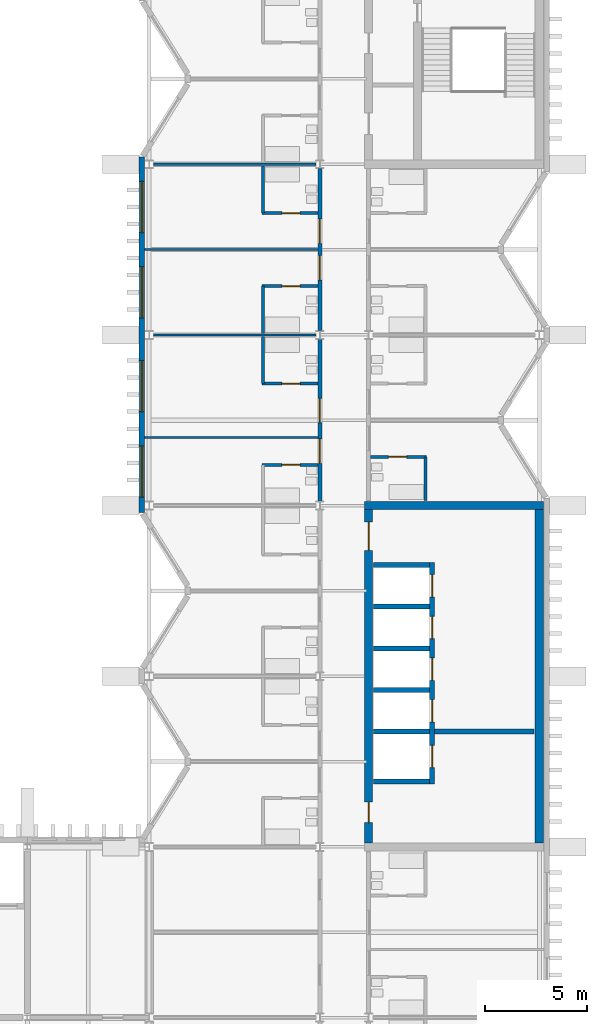
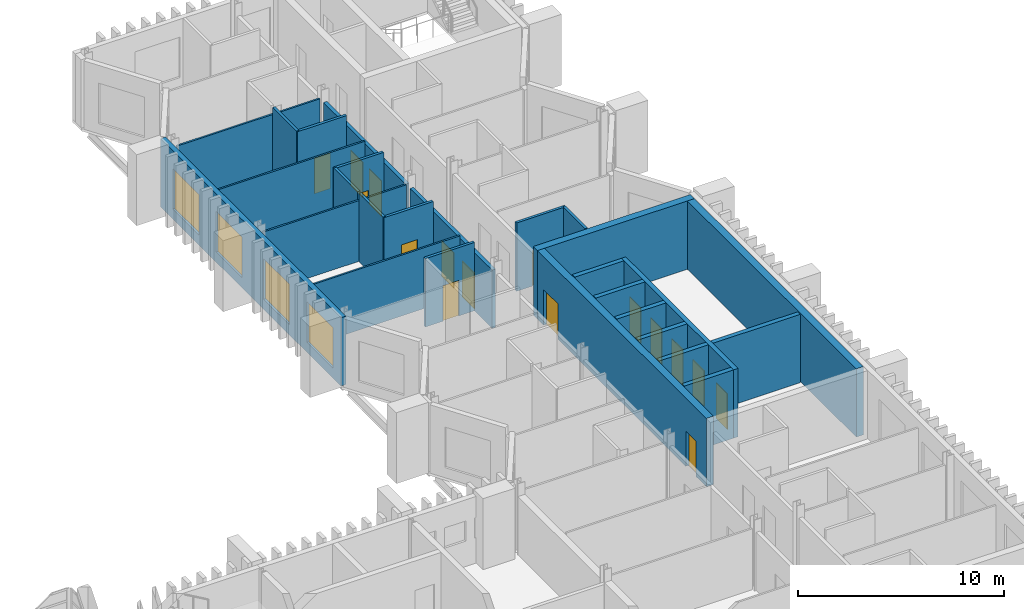
# One storey, part 68 of 88: 27 walls, 16 doors, 4 windows, 20 openings.
"""IFC4 building model written with IfcOpenShell, lengths in metres."""

from ifc_helpers import new_model, si_unit, direction, frame, frame_2d, origin, place, context, subcontext, project, spatial, rectangle, extrude, material, layer, layer_set, type_object, element, fill, save


model = new_model("IFC4")

# Units and contexts
model_context = context("Model", 3, precision=1e-05, world=origin(), true_north=direction((0.0, 1.0)))
body_context = subcontext(model_context, "Body", "Model", "MODEL_VIEW")
ifc_project = project(units=[si_unit("LENGTHUNIT", "METRE"), si_unit("AREAUNIT", "SQUARE_METRE"), si_unit("VOLUMEUNIT", "CUBIC_METRE"), si_unit("PLANEANGLEUNIT", "RADIAN"), si_unit("MASSUNIT", "GRAM", prefix="KILO")], contexts=[model_context])

# Site, building, storey
site_placement = place(None, origin())
site = spatial("IfcSite", under=ifc_project, at=site_placement, CompositionType="ELEMENT")
building_placement = place(site_placement, origin())
building = spatial("IfcBuilding", under=site, at=building_placement, Name="Cresset Court Congress Hotel", CompositionType="ELEMENT")
storey_placement = place(building_placement, frame((0.0, 0.0, 14.39990234375)))
storey = spatial("IfcBuildingStorey", under=building, at=storey_placement, Name="L03", CompositionType="ELEMENT", Elevation=14.39990234375)

# Wall, openings, doors
ifc_material_1 = material(Name="Gypsum board partition")
ifc_layer_1 = layer(ifc_material_1, 0.199951171875)
ifc_layer_set_1 = layer_set([ifc_layer_1], Name="Corridor wall 200")
wall_type_1 = type_object("IfcWallType", Name="Corridor wall 200", PredefinedType="PARTITIONING", material=ifc_layer_set_1)
wall_1_placement = place(storey_placement, frame((165.60009765625, 42.20703125, 0.0), z_axis=(0.0, 0.0, 1.0), x_axis=(0.0, 1.0, 0.0)))
wall_1 = element("IfcWall", 1, at=wall_1_placement, inside=storey, type_object=wall_type_1, Name="A.wl.L03.066", PredefinedType="PARTITIONING", context=body_context, shape_type="SweptSolid", body=[
    extrude(rectangle(XDim=7.986083984375, YDim=0.199951171875, at=frame_2d((3.9931640625, 0.0))), origin(), (0.0, 0.0, 1.0), 3.4501953125),
])
opening_1_placement = place(wall_1_placement, frame((1.873046875, 0.0, 0.0)))
opening_1 = element("IfcOpeningElement", 2, at=opening_1_placement, cuts=wall_1, Name="Opening DA-03-16", PredefinedType="OPENING", context=body_context, shape_type="SweptSolid", body=[
    extrude(rectangle(XDim=1.199951171875, YDim=2.10009765625, at=frame_2d((0.60009765625, 1.050048828125))), frame((0.0, 0.10986328125, 0.0), z_axis=(0.0, -1.0, 0.0), x_axis=(1.0, 0.0, 0.0)), (0.0, 0.0, 1.0), 0.219970703125),
])
opening_2_placement = place(wall_1_placement, frame((3.873046875, 0.0, 0.0)))
opening_2 = element("IfcOpeningElement", 3, at=opening_2_placement, cuts=wall_1, Name="Opening DA-03-18", PredefinedType="OPENING", context=body_context, shape_type="SweptSolid", body=[
    extrude(rectangle(XDim=1.199951171875, YDim=2.10009765625, at=frame_2d((0.60009765625, 1.050048828125))), frame((0.0, 0.10986328125, 0.0), z_axis=(0.0, -1.0, 0.0), x_axis=(1.0, 0.0, 0.0)), (0.0, 0.0, 1.0), 0.219970703125),
])
ifc_material_2 = material(Name="timber", Category="wood")
door_type_1 = type_object("IfcDoorType", Name="Guest-room entry door 1200x2100 FD30S", OperationType="SINGLE_SWING_LEFT", PredefinedType="DOOR", material=ifc_material_2)
door_1_placement = place(opening_1_placement, origin())
door_1 = element("IfcDoor", 4, at=door_1_placement, inside=storey, type_object=door_type_1, Name="Door DA-03-16", OperationType="SINGLE_SWING_RIGHT", OverallHeight=2.10009765625, OverallWidth=1.199951171875, PredefinedType="DOOR", context=body_context, shape_type="SweptSolid", body=[
    extrude(rectangle(XDim=1.199951171875, YDim=2.10009765625, at=frame_2d((0.60009765625, 1.050048828125))), frame((0.0, 0.02490234375, 0.0), z_axis=(0.0, -1.0, 0.0), x_axis=(1.0, 0.0, 0.0)), (0.0, 0.0, 1.0), 0.050048828125),
])
fill(opening_1, door_1)
door_2_placement = place(opening_2_placement, origin())
door_2 = element("IfcDoor", 5, at=door_2_placement, inside=storey, type_object=door_type_1, Name="Door DA-03-18", OperationType="SINGLE_SWING_LEFT", OverallHeight=2.10009765625, OverallWidth=1.199951171875, PredefinedType="DOOR", context=body_context, shape_type="SweptSolid", body=[
    extrude(rectangle(XDim=1.199951171875, YDim=2.10009765625, at=frame_2d((0.60009765625, 1.050048828125))), frame((0.0, 0.02490234375, 0.0), z_axis=(0.0, -1.0, 0.0), x_axis=(1.0, 0.0, 0.0)), (0.0, 0.0, 1.0), 0.050048828125),
])
fill(opening_2, door_2)

wall_2_placement = place(storey_placement, frame((165.60009765625, 50.60693359375, 0.0), z_axis=(0.0, 0.0, 1.0), x_axis=(0.0, 1.0, 0.0)))
wall_2 = element("IfcWall", 6, at=wall_2_placement, inside=storey, type_object=wall_type_1, Name="A.wl.L03.067", PredefinedType="PARTITIONING", context=body_context, shape_type="SweptSolid", body=[
    extrude(rectangle(XDim=7.986083984375, YDim=0.199951171875, at=frame_2d((3.9931640625, 0.0))), origin(), (0.0, 0.0, 1.0), 3.4501953125),
])
opening_3_placement = place(wall_2_placement, frame((2.492919921875, 0.0, 0.0)))
opening_3 = element("IfcOpeningElement", 7, at=opening_3_placement, cuts=wall_2, Name="Opening DA-03-20", PredefinedType="OPENING", context=body_context, shape_type="SweptSolid", body=[
    extrude(rectangle(XDim=1.199951171875, YDim=2.10009765625, at=frame_2d((0.60009765625, 1.050048828125))), frame((0.0, 0.10986328125, 0.0), z_axis=(0.0, -1.0, 0.0), x_axis=(1.0, 0.0, 0.0)), (0.0, 0.0, 1.0), 0.219970703125),
])
opening_4_placement = place(wall_2_placement, frame((4.29296875, 0.0, 0.0)))
opening_4 = element("IfcOpeningElement", 8, at=opening_4_placement, cuts=wall_2, Name="Opening DA-03-22", PredefinedType="OPENING", context=body_context, shape_type="SweptSolid", body=[
    extrude(rectangle(XDim=1.199951171875, YDim=2.10009765625, at=frame_2d((0.60009765625, 1.050048828125))), frame((0.0, 0.10986328125, 0.0), z_axis=(0.0, -1.0, 0.0), x_axis=(1.0, 0.0, 0.0)), (0.0, 0.0, 1.0), 0.219970703125),
])
door_3_placement = place(opening_3_placement, origin())
door_3 = element("IfcDoor", 9, at=door_3_placement, inside=storey, type_object=door_type_1, Name="Door DA-03-20", OperationType="SINGLE_SWING_RIGHT", OverallHeight=2.10009765625, OverallWidth=1.199951171875, PredefinedType="DOOR", context=body_context, shape_type="SweptSolid", body=[
    extrude(rectangle(XDim=1.199951171875, YDim=2.10009765625, at=frame_2d((0.60009765625, 1.050048828125))), frame((0.0, 0.02490234375, 0.0), z_axis=(0.0, -1.0, 0.0), x_axis=(1.0, 0.0, 0.0)), (0.0, 0.0, 1.0), 0.050048828125),
])
fill(opening_3, door_3)
door_4_placement = place(opening_4_placement, origin())
door_4 = element("IfcDoor", 10, at=door_4_placement, inside=storey, type_object=door_type_1, Name="Door DA-03-22", OperationType="SINGLE_SWING_LEFT", OverallHeight=2.10009765625, OverallWidth=1.199951171875, PredefinedType="DOOR", context=body_context, shape_type="SweptSolid", body=[
    extrude(rectangle(XDim=1.199951171875, YDim=2.10009765625, at=frame_2d((0.60009765625, 1.050048828125))), frame((0.0, 0.02490234375, 0.0), z_axis=(0.0, -1.0, 0.0), x_axis=(1.0, 0.0, 0.0)), (0.0, 0.0, 1.0), 0.050048828125),
])
fill(opening_4, door_4)

# Wall, opening, door
ifc_material_3 = material(Name="Gypsum board partition")
ifc_layer_2 = layer(ifc_material_3, 0.14990234375)
ifc_layer_set_2 = layer_set([ifc_layer_2], Name="En-suite wall 150")
wall_type_2 = type_object("IfcWallType", Name="En-suite wall 150", PredefinedType="PARTITIONING", material=ifc_layer_set_2)
wall_3_placement = place(storey_placement, frame((162.75, 44.0, 0.0), z_axis=(0.0, 0.0, 1.0), x_axis=(1.0, 0.0, 0.0)))
wall_3 = element("IfcWall", 11, at=wall_3_placement, inside=storey, type_object=wall_type_2, Name="A.wl.L03.010", PredefinedType="PARTITIONING", context=body_context, shape_type="SweptSolid", body=[
    extrude(rectangle(XDim=2.75, YDim=0.14990234375, at=frame_2d((1.375, 0.0))), origin(), (0.0, 0.0, 1.0), 4.050048828125),
])
opening_5_placement = place(wall_3_placement, frame((0.97998046875, 0.0, 0.0)))
opening_5 = element("IfcOpeningElement", 12, at=opening_5_placement, cuts=wall_3, Name="Opening DA-03-15", PredefinedType="OPENING", context=body_context, shape_type="SweptSolid", body=[
    extrude(rectangle(XDim=0.89990234375, YDim=2.10009765625, at=frame_2d((0.449951171875, 1.050048828125))), frame((0.0, 0.0849609375, 0.0), z_axis=(0.0, -1.0, 0.0), x_axis=(1.0, 0.0, 0.0)), (0.0, 0.0, 1.0), 0.169921875),
])
ifc_material_4 = material(Name="timber", Category="wood")
door_type_2 = type_object("IfcDoorType", Name="En-suite door 900x2100", OperationType="SINGLE_SWING_LEFT", PredefinedType="DOOR", material=ifc_material_4)
door_5_placement = place(opening_5_placement, origin())
door_5 = element("IfcDoor", 13, at=door_5_placement, inside=storey, type_object=door_type_2, Name="Door DA-03-15", OperationType="SINGLE_SWING_RIGHT", OverallHeight=2.10009765625, OverallWidth=0.89990234375, PredefinedType="DOOR", context=body_context, shape_type="SweptSolid", body=[
    extrude(rectangle(XDim=0.89990234375, YDim=2.10009765625, at=frame_2d((0.449951171875, 1.050048828125))), frame((0.0, 0.02490234375, 0.0), z_axis=(0.0, -1.0, 0.0), x_axis=(1.0, 0.0, 0.0)), (0.0, 0.0, 1.0), 0.050048828125),
])
fill(opening_5, door_5)

# Wall
wall_4_placement = place(storey_placement, frame((162.800048828125, 48.0, 0.0), z_axis=(0.0, 0.0, 1.0), x_axis=(0.0, 1.0, 0.0)))
element("IfcWall", 14, at=wall_4_placement, inside=storey, type_object=wall_type_2, Name="A.wl.L03.011", PredefinedType="PARTITIONING", context=body_context, shape_type="SweptSolid", body=[
    extrude(rectangle(XDim=2.324951171875, YDim=0.14990234375, at=frame_2d((1.16259765625, 0.0))), origin(), (0.0, 0.0, 1.0), 4.050048828125),
])

# Wall, opening, door
wall_5_placement = place(storey_placement, frame((162.75, 48.0, 0.0), z_axis=(0.0, 0.0, 1.0), x_axis=(1.0, 0.0, 0.0)))
wall_5 = element("IfcWall", 15, at=wall_5_placement, inside=storey, type_object=wall_type_2, Name="A.wl.L03.012", PredefinedType="PARTITIONING", context=body_context, shape_type="SweptSolid", body=[
    extrude(rectangle(XDim=2.75, YDim=0.14990234375, at=frame_2d((1.375, 0.0))), origin(), (0.0, 0.0, 1.0), 4.050048828125),
])
opening_6_placement = place(wall_5_placement, frame((0.97998046875, 0.0, 0.0)))
opening_6 = element("IfcOpeningElement", 16, at=opening_6_placement, cuts=wall_5, Name="Opening DA-03-17", PredefinedType="OPENING", context=body_context, shape_type="SweptSolid", body=[
    extrude(rectangle(XDim=0.89990234375, YDim=2.10009765625, at=frame_2d((0.449951171875, 1.050048828125))), frame((0.0, 0.0849609375, 0.0), z_axis=(0.0, -1.0, 0.0), x_axis=(1.0, 0.0, 0.0)), (0.0, 0.0, 1.0), 0.169921875),
])
door_6_placement = place(opening_6_placement, origin())
door_6 = element("IfcDoor", 17, at=door_6_placement, inside=storey, type_object=door_type_2, Name="Door DA-03-17", OperationType="SINGLE_SWING_LEFT", OverallHeight=2.10009765625, OverallWidth=0.89990234375, PredefinedType="DOOR", context=body_context, shape_type="SweptSolid", body=[
    extrude(rectangle(XDim=0.89990234375, YDim=2.10009765625, at=frame_2d((0.449951171875, 1.050048828125))), frame((0.0, 0.02490234375, 0.0), z_axis=(0.0, -1.0, 0.0), x_axis=(1.0, 0.0, 0.0)), (0.0, 0.0, 1.0), 0.050048828125),
])
fill(opening_6, door_6)

# Wall
wall_6_placement = place(storey_placement, frame((162.800048828125, 50.47509765625, 0.0), z_axis=(0.0, 0.0, 1.0), x_axis=(0.0, 1.0, 0.0)))
element("IfcWall", 18, at=wall_6_placement, inside=storey, type_object=wall_type_2, Name="A.wl.L03.013", PredefinedType="PARTITIONING", context=body_context, shape_type="SweptSolid", body=[
    extrude(rectangle(XDim=2.324951171875, YDim=0.14990234375, at=frame_2d((1.16259765625, 0.0))), origin(), (0.0, 0.0, 1.0), 4.050048828125),
])

# Wall, opening, door
wall_7_placement = place(storey_placement, frame((162.75, 52.800048828125, 0.0), z_axis=(0.0, 0.0, 1.0), x_axis=(1.0, 0.0, 0.0)))
wall_7 = element("IfcWall", 19, at=wall_7_placement, inside=storey, type_object=wall_type_2, Name="A.wl.L03.014", PredefinedType="PARTITIONING", context=body_context, shape_type="SweptSolid", body=[
    extrude(rectangle(XDim=2.75, YDim=0.14990234375, at=frame_2d((1.375, 0.0))), origin(), (0.0, 0.0, 1.0), 4.050048828125),
])
opening_7_placement = place(wall_7_placement, frame((0.97998046875, 0.0, 0.0)))
opening_7 = element("IfcOpeningElement", 20, at=opening_7_placement, cuts=wall_7, Name="Opening DA-03-19", PredefinedType="OPENING", context=body_context, shape_type="SweptSolid", body=[
    extrude(rectangle(XDim=0.89990234375, YDim=2.10009765625, at=frame_2d((0.449951171875, 1.050048828125))), frame((0.0, 0.0849609375, 0.0), z_axis=(0.0, -1.0, 0.0), x_axis=(1.0, 0.0, 0.0)), (0.0, 0.0, 1.0), 0.169921875),
])
door_7_placement = place(opening_7_placement, origin())
door_7 = element("IfcDoor", 21, at=door_7_placement, inside=storey, type_object=door_type_2, Name="Door DA-03-19", OperationType="SINGLE_SWING_RIGHT", OverallHeight=2.10009765625, OverallWidth=0.89990234375, PredefinedType="DOOR", context=body_context, shape_type="SweptSolid", body=[
    extrude(rectangle(XDim=0.89990234375, YDim=2.10009765625, at=frame_2d((0.449951171875, 1.050048828125))), frame((0.0, 0.02490234375, 0.0), z_axis=(0.0, -1.0, 0.0), x_axis=(1.0, 0.0, 0.0)), (0.0, 0.0, 1.0), 0.050048828125),
])
fill(opening_7, door_7)

# Wall
wall_8_placement = place(storey_placement, frame((162.800048828125, 56.39990234375, 0.0), z_axis=(0.0, 0.0, 1.0), x_axis=(0.0, 1.0, 0.0)))
element("IfcWall", 22, at=wall_8_placement, inside=storey, type_object=wall_type_2, Name="A.wl.L03.015", PredefinedType="PARTITIONING", context=body_context, shape_type="SweptSolid", body=[
    extrude(rectangle(XDim=2.3251953125, YDim=0.14990234375, at=frame_2d((1.16259765625, 0.0))), origin(), (0.0, 0.0, 1.0), 4.050048828125),
])

# Wall, opening, door
wall_9_placement = place(storey_placement, frame((162.75, 56.39990234375, 0.0), z_axis=(0.0, 0.0, 1.0), x_axis=(1.0, 0.0, 0.0)))
wall_9 = element("IfcWall", 23, at=wall_9_placement, inside=storey, type_object=wall_type_2, Name="A.wl.L03.016", PredefinedType="PARTITIONING", context=body_context, shape_type="SweptSolid", body=[
    extrude(rectangle(XDim=2.75, YDim=0.14990234375, at=frame_2d((1.375, 0.0))), origin(), (0.0, 0.0, 1.0), 4.050048828125),
])
opening_8_placement = place(wall_9_placement, frame((0.97998046875, 0.0, 0.0)))
opening_8 = element("IfcOpeningElement", 24, at=opening_8_placement, cuts=wall_9, Name="Opening DA-03-21", PredefinedType="OPENING", context=body_context, shape_type="SweptSolid", body=[
    extrude(rectangle(XDim=0.89990234375, YDim=2.10009765625, at=frame_2d((0.449951171875, 1.050048828125))), frame((0.0, 0.0849609375, 0.0), z_axis=(0.0, -1.0, 0.0), x_axis=(1.0, 0.0, 0.0)), (0.0, 0.0, 1.0), 0.169921875),
])
door_8_placement = place(opening_8_placement, origin())
door_8 = element("IfcDoor", 25, at=door_8_placement, inside=storey, type_object=door_type_2, Name="Door DA-03-21", OperationType="SINGLE_SWING_LEFT", OverallHeight=2.10009765625, OverallWidth=0.89990234375, PredefinedType="DOOR", context=body_context, shape_type="SweptSolid", body=[
    extrude(rectangle(XDim=0.89990234375, YDim=2.10009765625, at=frame_2d((0.449951171875, 1.050048828125))), frame((0.0, 0.02490234375, 0.0), z_axis=(0.0, -1.0, 0.0), x_axis=(1.0, 0.0, 0.0)), (0.0, 0.0, 1.0), 0.050048828125),
])
fill(opening_8, door_8)

# Wall
wall_10_placement = place(storey_placement, frame((170.800048828125, 42.25, 0.0), z_axis=(0.0, 0.0, 1.0), x_axis=(0.0, 1.0, 0.0)))
element("IfcWall", 26, at=wall_10_placement, inside=storey, type_object=wall_type_2, Name="A.wl.L03.029", PredefinedType="PARTITIONING", context=body_context, shape_type="SweptSolid", body=[
    extrude(rectangle(XDim=2.14990234375, YDim=0.14990234375, at=frame_2d((1.074951171875, 0.0))), origin(), (0.0, 0.0, 1.0), 4.050048828125),
])

# Wall, opening, door
wall_11_placement = place(storey_placement, frame((170.85009765625, 44.39990234375, 0.0), z_axis=(0.0, 0.0, 1.0), x_axis=(-1.0, 0.0, 0.0)))
wall_11 = element("IfcWall", 27, at=wall_11_placement, inside=storey, type_object=wall_type_2, Name="A.wl.L03.030", PredefinedType="PARTITIONING", context=body_context, shape_type="SweptSolid", body=[
    extrude(rectangle(XDim=2.75, YDim=0.14990234375, at=frame_2d((1.375, 0.0))), origin(), (0.0, 0.0, 1.0), 4.050048828125),
])
opening_9_placement = place(wall_11_placement, frame((0.97998046875, 0.0, 0.0)))
opening_9 = element("IfcOpeningElement", 28, at=opening_9_placement, cuts=wall_11, Name="Opening DA-03-35", PredefinedType="OPENING", context=body_context, shape_type="SweptSolid", body=[
    extrude(rectangle(XDim=0.89990234375, YDim=2.10009765625, at=frame_2d((0.449951171875, 1.050048828125))), frame((0.0, 0.0849609375, 0.0), z_axis=(0.0, -1.0, 0.0), x_axis=(1.0, 0.0, 0.0)), (0.0, 0.0, 1.0), 0.169921875),
])
door_9_placement = place(opening_9_placement, origin())
door_9 = element("IfcDoor", 29, at=door_9_placement, inside=storey, type_object=door_type_2, Name="Door DA-03-35", OperationType="SINGLE_SWING_RIGHT", OverallHeight=2.10009765625, OverallWidth=0.89990234375, PredefinedType="DOOR", context=body_context, shape_type="SweptSolid", body=[
    extrude(rectangle(XDim=0.89990234375, YDim=2.10009765625, at=frame_2d((0.449951171875, 1.050048828125))), frame((0.0, 0.02490234375, 0.0), z_axis=(0.0, -1.0, 0.0), x_axis=(1.0, 0.0, 0.0)), (0.0, 0.0, 1.0), 0.050048828125),
])
fill(opening_9, door_9)

# Wall, openings, windows
ifc_material_5 = material(Name="Precast concrete C50", Category="concrete")
ifc_layer_3 = layer(ifc_material_5, 0.280029296875)
ifc_layer_set_3 = layer_set([ifc_layer_3], Name="External wall 280")
wall_type_3 = type_object("IfcWallType", Name="External wall 280", PredefinedType="SOLIDWALL", material=ifc_layer_set_3)
wall_12_placement = place(storey_placement, frame((156.840087890625, 41.64990234375, 0.0), z_axis=(0.0, 0.0, 1.0), x_axis=(0.0, 1.0, 0.0)))
wall_12 = element("IfcWall", 30, at=wall_12_placement, inside=storey, type_object=wall_type_3, Name="A.ew.L03.W.3", PredefinedType="SOLIDWALL", context=body_context, shape_type="SweptSolid", body=[
    extrude(rectangle(XDim=17.5, YDim=0.280029296875, at=frame_2d((8.75, 0.0))), origin(), (0.0, 0.0, 1.0), 4.050048828125),
])
opening_10_placement = place(wall_12_placement, frame((0.77001953125, 0.0, 0.60009765625)))
opening_10 = element("IfcOpeningElement", 31, at=opening_10_placement, cuts=wall_12, Name="Opening NA-03-05", PredefinedType="OPENING", context=body_context, shape_type="SweptSolid", body=[
    extrude(rectangle(XDim=2.52001953125, YDim=2.39990234375, at=frame_2d((1.260009765625, 1.199951171875))), frame((0.0, 0.14990234375, 0.0), z_axis=(0.0, -1.0, 0.0), x_axis=(1.0, 0.0, 0.0)), (0.0, 0.0, 1.0), 0.300048828125),
])
opening_11_placement = place(wall_12_placement, frame((4.969970703125, 0.0, 0.60009765625)))
opening_11 = element("IfcOpeningElement", 32, at=opening_11_placement, cuts=wall_12, Name="Opening NA-03-06", PredefinedType="OPENING", context=body_context, shape_type="SweptSolid", body=[
    extrude(rectangle(XDim=2.52001953125, YDim=2.39990234375, at=frame_2d((1.260009765625, 1.199951171875))), frame((0.0, 0.14990234375, 0.0), z_axis=(0.0, -1.0, 0.0), x_axis=(1.0, 0.0, 0.0)), (0.0, 0.0, 1.0), 0.300048828125),
])
opening_12_placement = place(wall_12_placement, frame((9.590087890625, 0.0, 0.60009765625)))
opening_12 = element("IfcOpeningElement", 33, at=opening_12_placement, cuts=wall_12, Name="Opening NA-03-07", PredefinedType="OPENING", context=body_context, shape_type="SweptSolid", body=[
    extrude(rectangle(XDim=2.52001953125, YDim=2.39990234375, at=frame_2d((1.260009765625, 1.199951171875))), frame((0.0, 0.14990234375, 0.0), z_axis=(0.0, -1.0, 0.0), x_axis=(1.0, 0.0, 0.0)), (0.0, 0.0, 1.0), 0.300048828125),
])
opening_13_placement = place(wall_12_placement, frame((13.7900390625, 0.0, 0.60009765625)))
opening_13 = element("IfcOpeningElement", 34, at=opening_13_placement, cuts=wall_12, Name="Opening NA-03-08", PredefinedType="OPENING", context=body_context, shape_type="SweptSolid", body=[
    extrude(rectangle(XDim=2.52001953125, YDim=2.39990234375, at=frame_2d((1.260009765625, 1.199951171875))), frame((0.0, 0.14990234375, 0.0), z_axis=(0.0, -1.0, 0.0), x_axis=(1.0, 0.0, 0.0)), (0.0, 0.0, 1.0), 0.300048828125),
])
ifc_material_6 = material(Name="Aluminium and glass", Category="aluminium")
window_type = type_object("IfcWindowType", Name="Window 2520x2400", PartitioningType="SINGLE_PANEL", PredefinedType="WINDOW", material=ifc_material_6)
window_1_placement = place(opening_10_placement, origin())
window_1 = element("IfcWindow", 35, at=window_1_placement, inside=storey, type_object=window_type, Name="Window NA-03-05", OverallHeight=2.39990234375, OverallWidth=2.52001953125, PartitioningType="SINGLE_PANEL", PredefinedType="WINDOW", context=body_context, shape_type="SweptSolid", body=[
    extrude(rectangle(XDim=2.52001953125, YDim=2.39990234375, at=frame_2d((1.260009765625, 1.199951171875))), frame((0.0, 0.030029296875, 0.0), z_axis=(0.0, -1.0, 0.0), x_axis=(1.0, 0.0, 0.0)), (0.0, 0.0, 1.0), 0.06005859375),
])
fill(opening_10, window_1)
window_2_placement = place(opening_11_placement, origin())
window_2 = element("IfcWindow", 36, at=window_2_placement, inside=storey, type_object=window_type, Name="Window NA-03-06", OverallHeight=2.39990234375, OverallWidth=2.52001953125, PartitioningType="SINGLE_PANEL", PredefinedType="WINDOW", context=body_context, shape_type="SweptSolid", body=[
    extrude(rectangle(XDim=2.52001953125, YDim=2.39990234375, at=frame_2d((1.260009765625, 1.199951171875))), frame((0.0, 0.030029296875, 0.0), z_axis=(0.0, -1.0, 0.0), x_axis=(1.0, 0.0, 0.0)), (0.0, 0.0, 1.0), 0.06005859375),
])
fill(opening_11, window_2)
window_3_placement = place(opening_12_placement, origin())
window_3 = element("IfcWindow", 37, at=window_3_placement, inside=storey, type_object=window_type, Name="Window NA-03-07", OverallHeight=2.39990234375, OverallWidth=2.52001953125, PartitioningType="SINGLE_PANEL", PredefinedType="WINDOW", context=body_context, shape_type="SweptSolid", body=[
    extrude(rectangle(XDim=2.52001953125, YDim=2.39990234375, at=frame_2d((1.260009765625, 1.199951171875))), frame((0.0, 0.030029296875, 0.0), z_axis=(0.0, -1.0, 0.0), x_axis=(1.0, 0.0, 0.0)), (0.0, 0.0, 1.0), 0.06005859375),
])
fill(opening_12, window_3)
window_4_placement = place(opening_13_placement, origin())
window_4 = element("IfcWindow", 38, at=window_4_placement, inside=storey, type_object=window_type, Name="Window NA-03-08", OverallHeight=2.39990234375, OverallWidth=2.52001953125, PartitioningType="SINGLE_PANEL", PredefinedType="WINDOW", context=body_context, shape_type="SweptSolid", body=[
    extrude(rectangle(XDim=2.52001953125, YDim=2.39990234375, at=frame_2d((1.260009765625, 1.199951171875))), frame((0.0, 0.030029296875, 0.0), z_axis=(0.0, -1.0, 0.0), x_axis=(1.0, 0.0, 0.0)), (0.0, 0.0, 1.0), 0.06005859375),
])
fill(opening_13, window_4)

# Walls
ifc_material_7 = material(Name="Gypsum board partition")
ifc_layer_4 = layer(ifc_material_7, 0.10009765625)
ifc_layer_set_4 = layer_set([ifc_layer_4], Name="Guest-room partition 100")
wall_type_4 = type_object("IfcWallType", Name="Guest-room partition 100", PredefinedType="PARTITIONING", material=ifc_layer_set_4)
for number, where, z_axis, x_axis, name in (
    (39, (157.402587890625, 50.39990234375, 0.0), (0.0, 0.0, 1.0), (1.0, 0.0, 0.0), "A.wl.L03.042"),
    (40, (157.402587890625, 58.800048828125, 0.0), (0.0, 0.0, 1.0), (1.0, 0.0, 0.0), "A.wl.L03.043"),
):
    element("IfcWall", number, at=place(storey_placement, frame(where, z_axis=z_axis, x_axis=x_axis)), inside=storey, type_object=wall_type_4, Name=name, PredefinedType="PARTITIONING", context=body_context, shape_type="SweptSolid", body=[
        extrude(rectangle(XDim=7.994873046875, YDim=0.10009765625, at=frame_2d((3.99755859375, 0.0))), origin(), (0.0, 0.0, 1.0), 3.60400390625),
    ])
for number, where, z_axis, x_axis, name in (
    (41, (156.97998046875, 45.360107421875, 0.0), (0.0, 0.0, 1.0), (1.0, 0.0, 0.0), "A.wl.L03.051"),
    (42, (156.97998046875, 54.60009765625, 0.0), (0.0, 0.0, 1.0), (1.0, 0.0, 0.0), "A.wl.L03.052"),
):
    element("IfcWall", number, at=place(storey_placement, frame(where, z_axis=z_axis, x_axis=x_axis)), inside=storey, type_object=wall_type_4, Name=name, PredefinedType="PARTITIONING", context=body_context, shape_type="SweptSolid", body=[
        extrude(rectangle(XDim=8.52001953125, YDim=0.10009765625, at=frame_2d((4.260009765625, 0.0))), origin(), (0.0, 0.0, 1.0), 3.60400390625),
    ])
ifc_material_8 = material(Name="Concrete C50", Category="concrete")
ifc_layer_5 = layer(ifc_material_8, 0.39990234375)
ifc_layer_set_5 = layer_set([ifc_layer_5], Name="Lift core wall 400")
wall_type_5 = type_object("IfcWallType", Name="Lift core wall 400", PredefinedType="SOLIDWALL", material=ifc_layer_set_5)
wall_13_placement = place(storey_placement, frame((167.800048828125, 42.0, 0.0), z_axis=(0.0, 0.0, 1.0), x_axis=(1.0, 0.0, 0.0)))
element("IfcWall", 43, at=wall_13_placement, inside=storey, type_object=wall_type_5, Name="A.cw.LC-A.L03.N", PredefinedType="SOLIDWALL", context=body_context, shape_type="SweptSolid", body=[
    extrude(rectangle(XDim=8.800048828125, YDim=0.39990234375, at=frame_2d((4.39990234375, 0.0))), origin(), (0.0, 0.0, 1.0), 4.050048828125),
])

# Wall, openings, doors
wall_14_placement = place(storey_placement, frame((168.0, 25.39990234375, 0.0), z_axis=(0.0, 0.0, 1.0), x_axis=(0.0, 1.0, 0.0)))
wall_14 = element("IfcWall", 44, at=wall_14_placement, inside=storey, type_object=wall_type_5, Name="A.cw.LC-A.L03.W", PredefinedType="SOLIDWALL", context=body_context, shape_type="SweptSolid", body=[
    extrude(rectangle(XDim=16.400146484375, YDim=0.39990234375, at=frame_2d((8.2001953125, 0.0))), origin(), (0.0, 0.0, 1.0), 4.050048828125),
])
opening_14_placement = place(wall_14_placement, frame((1.0, 0.0, 0.0)))
opening_14 = element("IfcOpeningElement", 45, at=opening_14_placement, cuts=wall_14, Name="Opening DA-03-54", PredefinedType="OPENING", context=body_context, shape_type="SweptSolid", body=[
    extrude(rectangle(XDim=1.0, YDim=2.10009765625, at=frame_2d((0.5, 1.050048828125))), frame((0.0, 0.2099609375, 0.0), z_axis=(0.0, -1.0, 0.0), x_axis=(1.0, 0.0, 0.0)), (0.0, 0.0, 1.0), 0.419921875),
])
opening_15_placement = place(wall_14_placement, frame((14.39990234375, 0.0, 0.0)))
opening_15 = element("IfcOpeningElement", 46, at=opening_15_placement, cuts=wall_14, Name="Opening DA-03-55", PredefinedType="OPENING", context=body_context, shape_type="SweptSolid", body=[
    extrude(rectangle(XDim=1.39990234375, YDim=2.10009765625, at=frame_2d((0.699951171875, 1.050048828125))), frame((0.0, 0.2099609375, 0.0), z_axis=(0.0, -1.0, 0.0), x_axis=(1.0, 0.0, 0.0)), (0.0, 0.0, 1.0), 0.419921875),
])
ifc_material_9 = material(Name="steel", Category="steel")
door_type_3 = type_object("IfcDoorType", Name="Lobby door 1000x2100 FD60", OperationType="SINGLE_SWING_LEFT", PredefinedType="DOOR", material=ifc_material_9)
door_10_placement = place(opening_14_placement, origin())
door_10 = element("IfcDoor", 47, at=door_10_placement, inside=storey, type_object=door_type_3, Name="Door DA-03-54", OperationType="SINGLE_SWING_RIGHT", OverallHeight=2.10009765625, OverallWidth=1.0, PredefinedType="DOOR", context=body_context, shape_type="SweptSolid", body=[
    extrude(rectangle(XDim=1.0, YDim=2.10009765625, at=frame_2d((0.5, 1.050048828125))), frame((0.0, 0.02490234375, 0.0), z_axis=(0.0, -1.0, 0.0), x_axis=(1.0, 0.0, 0.0)), (0.0, 0.0, 1.0), 0.050048828125),
])
fill(opening_14, door_10)
ifc_material_10 = material(Name="steel", Category="steel")
door_type_4 = type_object("IfcDoorType", Name="Lobby door 1400x2100 FD60", OperationType="DOUBLE_DOOR_DOUBLE_SWING", PredefinedType="DOOR", material=ifc_material_10)
door_11_placement = place(opening_15_placement, origin())
door_11 = element("IfcDoor", 48, at=door_11_placement, inside=storey, type_object=door_type_4, Name="Door DA-03-55", OperationType="DOUBLE_DOOR_DOUBLE_SWING", OverallHeight=2.10009765625, OverallWidth=1.39990234375, PredefinedType="DOOR", context=body_context, shape_type="SweptSolid", body=[
    extrude(rectangle(XDim=1.39990234375, YDim=2.10009765625, at=frame_2d((0.699951171875, 1.050048828125))), frame((0.0, 0.02490234375, 0.0), z_axis=(0.0, -1.0, 0.0), x_axis=(1.0, 0.0, 0.0)), (0.0, 0.0, 1.0), 0.050048828125),
])
fill(opening_15, door_11)

# Wall
wall_15_placement = place(storey_placement, frame((176.39990234375, 25.39990234375, 0.0), z_axis=(0.0, 0.0, 1.0), x_axis=(0.0, 1.0, 0.0)))
element("IfcWall", 49, at=wall_15_placement, inside=storey, type_object=wall_type_5, Name="A.cw.LC-A.L03.E", PredefinedType="SOLIDWALL", context=body_context, shape_type="SweptSolid", body=[
    extrude(rectangle(XDim=16.400146484375, YDim=0.39990234375, at=frame_2d((8.2001953125, 0.0))), origin(), (0.0, 0.0, 1.0), 4.050048828125),
])

# Wall, openings, doors
ifc_material_11 = material(Name="Concrete C50", Category="concrete")
ifc_layer_6 = layer(ifc_material_11, 0.25)
ifc_layer_set_6 = layer_set([ifc_layer_6], Name="Lift shaft wall 250")
wall_type_6 = type_object("IfcWallType", Name="Lift shaft wall 250", PredefinedType="SOLIDWALL", material=ifc_layer_set_6)
wall_16_placement = place(storey_placement, frame((171.125, 28.300048828125, 0.0), z_axis=(0.0, 0.0, 1.0), x_axis=(0.0, 1.0, 0.0)))
wall_16 = element("IfcWall", 50, at=wall_16_placement, inside=storey, type_object=wall_type_6, Name="A.wl.L03.077", PredefinedType="SOLIDWALL", context=body_context, shape_type="SweptSolid", body=[
    extrude(rectangle(XDim=10.89990234375, YDim=0.25, at=frame_2d((5.449951171875, 0.0))), origin(), (0.0, 0.0, 1.0), 4.050048828125),
])
opening_16_placement = place(wall_16_placement, frame((0.800048828125, 0.0, 0.0)))
opening_16 = element("IfcOpeningElement", 51, at=opening_16_placement, cuts=wall_16, Name="Opening LD-A1-03", PredefinedType="OPENING", context=body_context, shape_type="SweptSolid", body=[
    extrude(rectangle(XDim=1.10009765625, YDim=2.10009765625, at=frame_2d((0.550048828125, 1.050048828125))), frame((0.0, 0.135009765625, 0.0), z_axis=(0.0, -1.0, 0.0), x_axis=(1.0, 0.0, 0.0)), (0.0, 0.0, 1.0), 0.27001953125),
])
opening_17_placement = place(wall_16_placement, frame((3.050048828125, 0.0, 0.0)))
opening_17 = element("IfcOpeningElement", 52, at=opening_17_placement, cuts=wall_16, Name="Opening LD-A2-03", PredefinedType="OPENING", context=body_context, shape_type="SweptSolid", body=[
    extrude(rectangle(XDim=1.10009765625, YDim=2.10009765625, at=frame_2d((0.550048828125, 1.050048828125))), frame((0.0, 0.135009765625, 0.0), z_axis=(0.0, -1.0, 0.0), x_axis=(1.0, 0.0, 0.0)), (0.0, 0.0, 1.0), 0.27001953125),
])
opening_18_placement = place(wall_16_placement, frame((5.10009765625, 0.0, 0.0)))
opening_18 = element("IfcOpeningElement", 53, at=opening_18_placement, cuts=wall_16, Name="Opening LD-A3-03", PredefinedType="OPENING", context=body_context, shape_type="SweptSolid", body=[
    extrude(rectangle(XDim=1.10009765625, YDim=2.10009765625, at=frame_2d((0.550048828125, 1.050048828125))), frame((0.0, 0.135009765625, 0.0), z_axis=(0.0, -1.0, 0.0), x_axis=(1.0, 0.0, 0.0)), (0.0, 0.0, 1.0), 0.27001953125),
])
opening_19_placement = place(wall_16_placement, frame((7.14990234375, 0.0, 0.0)))
opening_19 = element("IfcOpeningElement", 54, at=opening_19_placement, cuts=wall_16, Name="Opening LD-A4-03", PredefinedType="OPENING", context=body_context, shape_type="SweptSolid", body=[
    extrude(rectangle(XDim=1.10009765625, YDim=2.10009765625, at=frame_2d((0.550048828125, 1.050048828125))), frame((0.0, 0.135009765625, 0.0), z_axis=(0.0, -1.0, 0.0), x_axis=(1.0, 0.0, 0.0)), (0.0, 0.0, 1.0), 0.27001953125),
])
opening_20_placement = place(wall_16_placement, frame((9.199951171875, 0.0, 0.0)))
opening_20 = element("IfcOpeningElement", 55, at=opening_20_placement, cuts=wall_16, Name="Opening LD-A5-03", PredefinedType="OPENING", context=body_context, shape_type="SweptSolid", body=[
    extrude(rectangle(XDim=1.10009765625, YDim=2.10009765625, at=frame_2d((0.550048828125, 1.050048828125))), frame((0.0, 0.135009765625, 0.0), z_axis=(0.0, -1.0, 0.0), x_axis=(1.0, 0.0, 0.0)), (0.0, 0.0, 1.0), 0.27001953125),
])
ifc_material_12 = material(Name="stainless steel", Category="steel")
door_type_5 = type_object("IfcDoorType", Name="Lift landing door 1100x2100 E 60", OperationType="SLIDING_TO_LEFT", PredefinedType="DOOR", material=ifc_material_12)
door_12_placement = place(opening_16_placement, origin())
door_12 = element("IfcDoor", 56, at=door_12_placement, inside=storey, type_object=door_type_5, Name="Lift landing door LD-A1-03", OperationType="SLIDING_TO_LEFT", OverallHeight=2.10009765625, OverallWidth=1.10009765625, PredefinedType="DOOR", context=body_context, shape_type="SweptSolid", body=[
    extrude(rectangle(XDim=1.10009765625, YDim=2.10009765625, at=frame_2d((0.550048828125, 1.050048828125))), frame((0.0, 0.02490234375, 0.0), z_axis=(0.0, -1.0, 0.0), x_axis=(1.0, 0.0, 0.0)), (0.0, 0.0, 1.0), 0.050048828125),
])
fill(opening_16, door_12)
door_13_placement = place(opening_17_placement, origin())
door_13 = element("IfcDoor", 57, at=door_13_placement, inside=storey, type_object=door_type_5, Name="Lift landing door LD-A2-03", OperationType="SLIDING_TO_LEFT", OverallHeight=2.10009765625, OverallWidth=1.10009765625, PredefinedType="DOOR", context=body_context, shape_type="SweptSolid", body=[
    extrude(rectangle(XDim=1.10009765625, YDim=2.10009765625, at=frame_2d((0.550048828125, 1.050048828125))), frame((0.0, 0.02490234375, 0.0), z_axis=(0.0, -1.0, 0.0), x_axis=(1.0, 0.0, 0.0)), (0.0, 0.0, 1.0), 0.050048828125),
])
fill(opening_17, door_13)
door_14_placement = place(opening_18_placement, origin())
door_14 = element("IfcDoor", 58, at=door_14_placement, inside=storey, type_object=door_type_5, Name="Lift landing door LD-A3-03", OperationType="SLIDING_TO_LEFT", OverallHeight=2.10009765625, OverallWidth=1.10009765625, PredefinedType="DOOR", context=body_context, shape_type="SweptSolid", body=[
    extrude(rectangle(XDim=1.10009765625, YDim=2.10009765625, at=frame_2d((0.550048828125, 1.050048828125))), frame((0.0, 0.02490234375, 0.0), z_axis=(0.0, -1.0, 0.0), x_axis=(1.0, 0.0, 0.0)), (0.0, 0.0, 1.0), 0.050048828125),
])
fill(opening_18, door_14)
door_15_placement = place(opening_19_placement, origin())
door_15 = element("IfcDoor", 59, at=door_15_placement, inside=storey, type_object=door_type_5, Name="Lift landing door LD-A4-03", OperationType="SLIDING_TO_LEFT", OverallHeight=2.10009765625, OverallWidth=1.10009765625, PredefinedType="DOOR", context=body_context, shape_type="SweptSolid", body=[
    extrude(rectangle(XDim=1.10009765625, YDim=2.10009765625, at=frame_2d((0.550048828125, 1.050048828125))), frame((0.0, 0.02490234375, 0.0), z_axis=(0.0, -1.0, 0.0), x_axis=(1.0, 0.0, 0.0)), (0.0, 0.0, 1.0), 0.050048828125),
])
fill(opening_19, door_15)
door_16_placement = place(opening_20_placement, origin())
door_16 = element("IfcDoor", 60, at=door_16_placement, inside=storey, type_object=door_type_5, Name="Lift landing door LD-A5-03", OperationType="SLIDING_TO_LEFT", OverallHeight=2.10009765625, OverallWidth=1.10009765625, PredefinedType="DOOR", context=body_context, shape_type="SweptSolid", body=[
    extrude(rectangle(XDim=1.10009765625, YDim=2.10009765625, at=frame_2d((0.550048828125, 1.050048828125))), frame((0.0, 0.02490234375, 0.0), z_axis=(0.0, -1.0, 0.0), x_axis=(1.0, 0.0, 0.0)), (0.0, 0.0, 1.0), 0.050048828125),
])
fill(opening_20, door_16)

# Walls
for number, where, z_axis, x_axis, name in (
    (61, (168.25, 28.425048828125, 0.0), (0.0, 0.0, 1.0), (1.0, 0.0, 0.0), "A.wl.L03.078"),
    (62, (168.25, 30.875, 0.0), (0.0, 0.0, 1.0), (1.0, 0.0, 0.0), "A.wl.L03.079"),
    (63, (168.25, 32.925048828125, 0.0), (0.0, 0.0, 1.0), (1.0, 0.0, 0.0), "A.wl.L03.080"),
    (64, (168.25, 34.97509765625, 0.0), (0.0, 0.0, 1.0), (1.0, 0.0, 0.0), "A.wl.L03.081"),
    (65, (168.25, 37.02490234375, 0.0), (0.0, 0.0, 1.0), (1.0, 0.0, 0.0), "A.wl.L03.082"),
    (66, (168.25, 39.074951171875, 0.0), (0.0, 0.0, 1.0), (1.0, 0.0, 0.0), "A.wl.L03.083"),
):
    element("IfcWall", number, at=place(storey_placement, frame(where, z_axis=z_axis, x_axis=x_axis)), inside=storey, type_object=wall_type_6, Name=name, PredefinedType="SOLIDWALL", context=body_context, shape_type="SweptSolid", body=[
        extrude(rectangle(XDim=2.75, YDim=0.25, at=frame_2d((1.375, 0.0))), origin(), (0.0, 0.0, 1.0), 4.050048828125),
    ])
wall_17_placement = place(storey_placement, frame((171.25, 30.875, 0.0), z_axis=(0.0, 0.0, 1.0), x_axis=(1.0, 0.0, 0.0)))
element("IfcWall", 67, at=wall_17_placement, inside=storey, type_object=wall_type_6, Name="A.wl.L03.084", PredefinedType="SOLIDWALL", context=body_context, shape_type="SweptSolid", body=[
    extrude(rectangle(XDim=4.89990234375, YDim=0.25, at=frame_2d((2.449951171875, 0.0))), origin(), (0.0, 0.0, 1.0), 4.050048828125),
])

save(model, "model.ifc")
